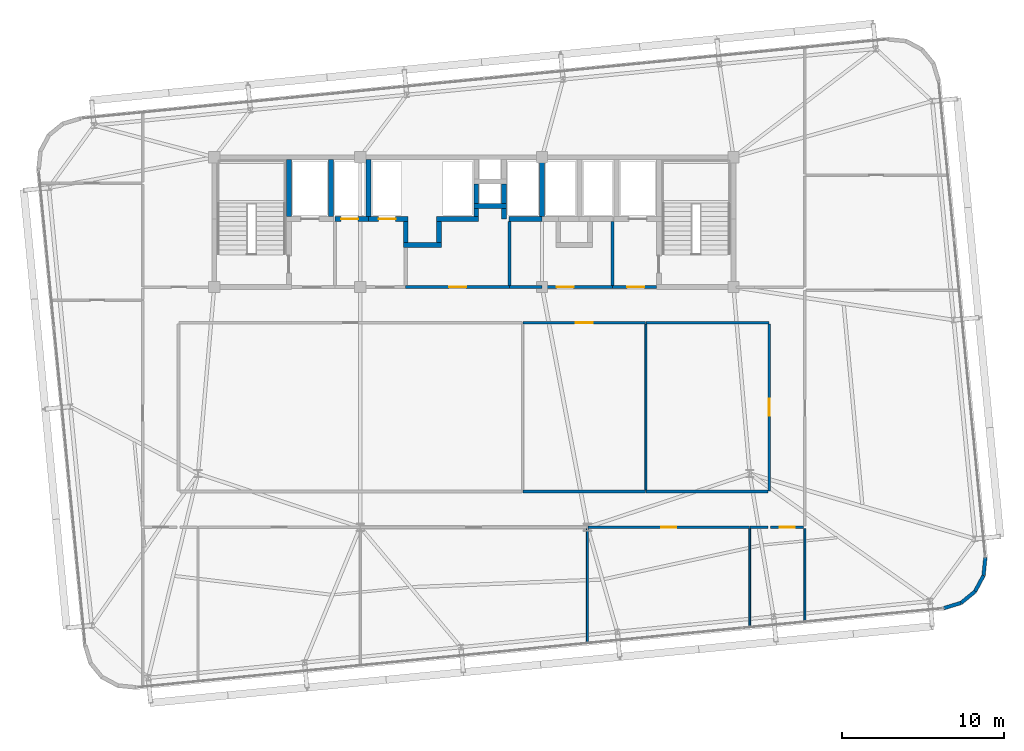
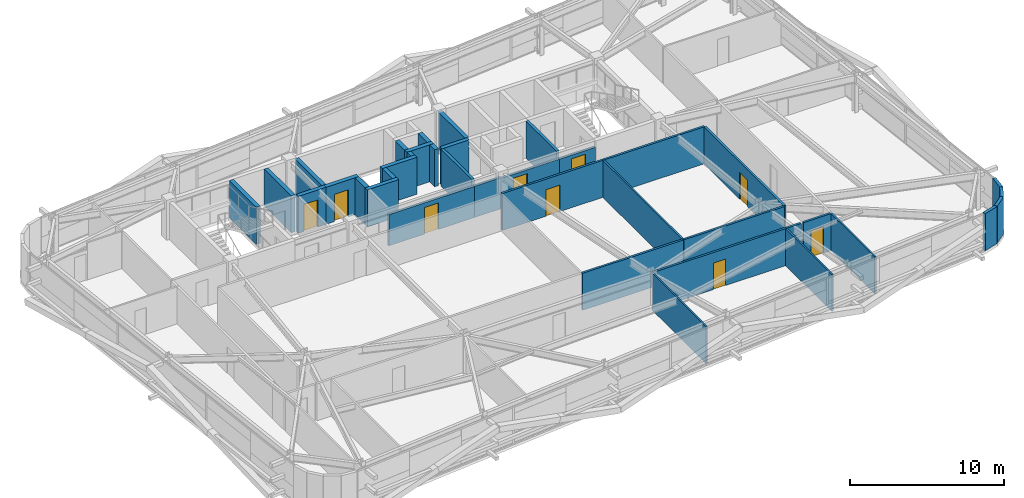
# One storey, part 42 of 47: 38 walls, 9 doors, 9 openings.
"""IFC4 building model written with IfcOpenShell, lengths in metres."""

from ifc_helpers import new_model, si_unit, direction, frame, frame_2d, origin, place, context, subcontext, project, spatial, rectangle, extrude, source, transform, mapped, material, layer, layer_set, type_object, element, fill, save


model = new_model("IFC4")

# Units and contexts
model_context = context("Model", 3, precision=1e-05, world=origin(), true_north=direction((0.0, 1.0)))
body_context = subcontext(model_context, "Body", "Model", "MODEL_VIEW")
ifc_project = project(units=[si_unit("LENGTHUNIT", "METRE"), si_unit("AREAUNIT", "SQUARE_METRE"), si_unit("VOLUMEUNIT", "CUBIC_METRE"), si_unit("PLANEANGLEUNIT", "RADIAN"), si_unit("MASSUNIT", "GRAM", prefix="KILO")], contexts=[model_context])

# Site, building, storey
site_placement = place(None, origin())
site = spatial("IfcSite", under=ifc_project, at=site_placement, CompositionType="ELEMENT")
building_placement = place(site_placement, origin())
building = spatial("IfcBuilding", under=site, at=building_placement, Name="Taldren Reach Tower", CompositionType="ELEMENT")
storey_placement = place(building_placement, frame((0.0, 0.0, 106.050048828125)))
storey = spatial("IfcBuildingStorey", under=building, at=storey_placement, Name="L32", CompositionType="ELEMENT", Elevation=106.050048828125)

# Walls
ifc_material_1 = material(Name="Pale Champagne Anodised Aluminium Cladding", Category="aluminium")
ifc_layer_1 = layer(ifc_material_1, 0.04, Name="Pale Champagne Anodised Aluminium Cladding", Category="aluminium")
ifc_material_2 = material(Name="Mineral Wool Acoustic Insulation", Category="insulation")
ifc_layer_2 = layer(ifc_material_2, 0.06, Name="Mineral Wool Acoustic Insulation", Category="insulation")
ifc_material_3 = material(Name="Steel Gr 350 (C350L0)", Category="steel")
ifc_layer_3 = layer(ifc_material_3, 0.12, Name="Steel Gr 350 (C350L0)", Category="steel")
ifc_layer_set_1 = layer_set([ifc_layer_1, ifc_layer_2, ifc_layer_3], Name="Pale Champagne Aluminium Cladding and Steel Gr 350 Stud Framing")
wall_type_1 = type_object("IfcWallType", Name="EW-CRN-220", PredefinedType="SOLIDWALL", material=ifc_layer_set_1)
shared_shape_1 = source(origin(), body_context, "Body", "SweptSolid", [
    extrude(rectangle(XDim=1.115966796875, YDim=0.219970703125, at=frame_2d((0.55810546875, 0.0))), origin(), (0.0, 0.0, 1.0), 2.929931640625),
])
for number, where, z_axis, x_axis, name in (
    (1, (65.01708984375, 4.537109375, 0.0), (0.0, 0.0, 1.0), (0.773342870285, 0.633988016432, 0.0), "Rounded-corner pale-metal facade wall L32-SE2"),
    (2, (66.406494140625, 6.228515625, 0.0), (0.0, 0.0, 1.0), (0.09844234778, 0.995142755671, 0.0), "Rounded-corner pale-metal facade wall L32-SE4"),
):
    element("IfcWall", number, at=place(storey_placement, frame(where, z_axis=z_axis, x_axis=x_axis)), inside=storey, type_object=wall_type_1, Name=name, PredefinedType="SOLIDWALL", context=body_context, shape_type="MappedRepresentation", body=[
        mapped(shared_shape_1, transform((0.0, 0.0, 0.0), scale=1.0)),
    ])
shared_shape_2 = source(origin(), body_context, "Body", "SweptSolid", [
    extrude(rectangle(XDim=1.11572265625, YDim=0.219970703125, at=frame_2d((0.557861328125, 0.0))), origin(), (0.0, 0.0, 1.0), 2.929931640625),
])
for number, where, z_axis, x_axis, name in (
    (3, (63.94921875, 4.213623046875, 0.0), (0.0, 0.0, 1.0), (0.957052003726, 0.289916301997, 0.0), "Rounded-corner pale-metal facade wall L32-SE1"),
    (4, (65.880126953125, 5.24462890625, 0.0), (0.0, 0.0, 1.0), (0.471723463201, 0.881746547635, 0.0), "Rounded-corner pale-metal facade wall L32-SE3"),
):
    element("IfcWall", number, at=place(storey_placement, frame(where, z_axis=z_axis, x_axis=x_axis)), inside=storey, type_object=wall_type_1, Name=name, PredefinedType="SOLIDWALL", context=body_context, shape_type="MappedRepresentation", body=[
        mapped(shared_shape_2, transform((0.0, 0.0, 0.0), scale=1.0)),
    ])

# Wall, opening, door
ifc_material_4 = material(Name="Concrete S50 (50 MPa)", Category="concrete")
ifc_layer_4 = layer(ifc_material_4, 0.199951171875)
ifc_layer_set_2 = layer_set([ifc_layer_4], Name="Concrete S50 (50 MPa)")
wall_type_2 = type_object("IfcWallType", Name="IW-CORE-200", PredefinedType="SOLIDWALL", material=ifc_layer_set_2)
shared_shape_3 = source(origin(), body_context, "Body", "SweptSolid", [
    extrude(rectangle(XDim=6.39990234375, YDim=0.199951171875, at=frame_2d((3.199951171875, 0.0))), origin(), (0.0, 0.0, 1.0), 2.469970703125),
])
wall_1_placement = place(storey_placement, frame((37.199951171875, 24.0, 0.0), z_axis=(0.0, 0.0, 1.0), x_axis=(-1.0, 0.0, 0.0)))
wall_1 = element("IfcWall", 5, at=wall_1_placement, inside=storey, type_object=wall_type_2, Name="Rear Core Shear Wall W-INT-L32-043", PredefinedType="SOLIDWALL", context=body_context, shape_type="MappedRepresentation", body=[
    mapped(shared_shape_3, transform((0.0, 0.0, 0.0), scale=1.0)),
])
shared_shape_4 = source(origin(), body_context, "Body", "SweptSolid", [
    extrude(rectangle(XDim=1.050048828125, YDim=2.10009765625, at=frame_2d((0.52490234375, 1.050048828125))), frame((0.0, 0.10986328125, 0.0), z_axis=(0.0, -1.0, 0.0), x_axis=(1.0, 0.0, 0.0)), (0.0, 0.0, 1.0), 0.219970703125),
])
opening_1_placement = place(wall_1_placement, frame((2.675048828125, 0.0, 0.0)))
opening_1 = element("IfcOpeningElement", 6, at=opening_1_placement, cuts=wall_1, Name="Opening DF-105", PredefinedType="OPENING", context=body_context, shape_type="MappedRepresentation", body=[
    mapped(shared_shape_4, transform((0.0, 0.0, 0.0), scale=1.0)),
])
ifc_material_5 = material(Name="Fire-Rated Care and Stair Exit Door")
door_type_1 = type_object("IfcDoorType", Name="ID-FIRE-105", OperationType="NOTDEFINED", PredefinedType="DOOR", material=ifc_material_5)
shared_shape_5 = source(origin(), body_context, "Body", "SweptSolid", [
    extrude(rectangle(XDim=1.050048828125, YDim=2.10009765625, at=frame_2d((0.52490234375, 1.050048828125))), frame((0.0, 0.02490234375, 0.0), z_axis=(0.0, -1.0, 0.0), x_axis=(1.0, 0.0, 0.0)), (0.0, 0.0, 1.0), 0.050048828125),
])
door_1_placement = place(opening_1_placement, frame((1.050048828125, 0.0, 0.0), z_axis=(0.0, 0.0, 1.0), x_axis=(-1.0, 0.0, 0.0)))
door_1 = element("IfcDoor", 7, at=door_1_placement, inside=storey, type_object=door_type_1, Name="Interior Door DR-L32-006", OperationType="SINGLE_SWING_RIGHT", OverallHeight=2.10009765625, OverallWidth=1.050048828125, PredefinedType="DOOR", context=body_context, shape_type="MappedRepresentation", body=[
    mapped(shared_shape_5, transform((0.0, 0.0, 0.0), scale=1.0)),
])
fill(opening_1, door_1)

shared_shape_6 = source(origin(), body_context, "Body", "SweptSolid", [
    extrude(rectangle(XDim=4.35009765625, YDim=0.199951171875, at=frame_2d((2.175048828125, 0.0))), origin(), (0.0, 0.0, 1.0), 2.39697265625),
])
wall_2_placement = place(storey_placement, frame((43.550048828125, 24.0, 0.0), z_axis=(0.0, 0.0, 1.0), x_axis=(-1.0, 0.0, 0.0)))
wall_2 = element("IfcWall", 8, at=wall_2_placement, inside=storey, type_object=wall_type_2, Name="Rear Core Shear Wall W-INT-L32-044", PredefinedType="SOLIDWALL", context=body_context, shape_type="MappedRepresentation", body=[
    mapped(shared_shape_6, transform((0.0, 0.0, 0.0), scale=1.0)),
])
opening_2_placement = place(wall_2_placement, frame((2.39990234375, 0.0, 0.0)))
opening_2 = element("IfcOpeningElement", 9, at=opening_2_placement, cuts=wall_2, Name="Opening DF-105", PredefinedType="OPENING", context=body_context, shape_type="MappedRepresentation", body=[
    mapped(shared_shape_4, transform((0.0, 0.0, 0.0), scale=1.0)),
])
door_2_placement = place(opening_2_placement, frame((1.050048828125, 0.0, 0.0), z_axis=(0.0, 0.0, 1.0), x_axis=(-1.0, 0.0, 0.0)))
door_2 = element("IfcDoor", 10, at=door_2_placement, inside=storey, type_object=door_type_1, Name="Interior Door DR-L32-007", OperationType="SINGLE_SWING_RIGHT", OverallHeight=2.10009765625, OverallWidth=1.050048828125, PredefinedType="DOOR", context=body_context, shape_type="MappedRepresentation", body=[
    mapped(shared_shape_5, transform((0.0, 0.0, 0.0), scale=1.0)),
])
fill(opening_2, door_2)

# Wall
shared_shape_7 = source(origin(), body_context, "Body", "SweptSolid", [
    extrude(rectangle(XDim=2.0, YDim=0.199951171875, at=frame_2d((1.0, 0.0))), origin(), (0.0, 0.0, 1.0), 2.469970703125),
])
wall_3_placement = place(storey_placement, frame((39.199951171875, 24.0, 0.0), z_axis=(0.0, 0.0, 1.0), x_axis=(-1.0, 0.0, 0.0)))
element("IfcWall", 11, at=wall_3_placement, inside=storey, type_object=wall_type_2, Name="Rear Core Shear Wall W-INT-L32-044 part 2", PredefinedType="SOLIDWALL", context=body_context, shape_type="MappedRepresentation", body=[
    mapped(shared_shape_7, transform((0.0, 0.0, 0.0), scale=1.0)),
])

# Wall, opening, door
ifc_material_6 = material(Name="Fire-Rated Acoustic Plasterboard Stud Wall", Category="gypsum")
ifc_layer_5 = layer(ifc_material_6, 0.159912109375)
ifc_layer_set_3 = layer_set([ifc_layer_5], Name="Fire-Rated Acoustic Plasterboard Stud Wall")
wall_type_3 = type_object("IfcWallType", Name="IW-FIRE-160", PredefinedType="PARTITIONING", material=ifc_layer_set_3)
shared_shape_8 = source(origin(), body_context, "Body", "SweptSolid", [
    extrude(rectangle(XDim=10.2998046875, YDim=0.159912109375, at=frame_2d((5.14990234375, 0.0))), origin(), (0.0, 0.0, 1.0), 2.929931640625),
])
wall_4_placement = place(storey_placement, frame((53.199951171875, 11.420166015625, 0.0), z_axis=(0.0, 0.0, 1.0), x_axis=(0.0, 1.0, 0.0)))
wall_4 = element("IfcWall", 12, at=wall_4_placement, inside=storey, type_object=wall_type_3, Name="Interior Partition Wall W-INT-L32-048", PredefinedType="PARTITIONING", context=body_context, shape_type="MappedRepresentation", body=[
    mapped(shared_shape_8, transform((0.0, 0.0, 0.0), scale=1.0)),
])
shared_shape_9 = source(origin(), body_context, "Body", "SweptSolid", [
    extrude(rectangle(XDim=1.050048828125, YDim=2.10009765625, at=frame_2d((0.52490234375, 1.050048828125))), frame((0.0, 0.08984375, 0.0), z_axis=(0.0, -1.0, 0.0), x_axis=(1.0, 0.0, 0.0)), (0.0, 0.0, 1.0), 0.179931640625),
])
opening_3_placement = place(wall_4_placement, frame((4.65478515625, 0.0, 0.0)))
opening_3 = element("IfcOpeningElement", 13, at=opening_3_placement, cuts=wall_4, Name="Opening DF-105", PredefinedType="OPENING", context=body_context, shape_type="MappedRepresentation", body=[
    mapped(shared_shape_9, transform((0.0, 0.0, 0.0), scale=1.0)),
])
door_3_placement = place(opening_3_placement, origin())
door_3 = element("IfcDoor", 14, at=door_3_placement, inside=storey, type_object=door_type_1, Name="Interior Door DR-L32-010", OperationType="SINGLE_SWING_LEFT", OverallHeight=2.10009765625, OverallWidth=1.050048828125, PredefinedType="DOOR", context=body_context, shape_type="MappedRepresentation", body=[
    mapped(shared_shape_5, transform((0.0, 0.0, 0.0), scale=1.0)),
])
fill(opening_3, door_3)

shared_shape_10 = source(origin(), body_context, "Body", "SweptSolid", [
    extrude(rectangle(XDim=2.0400390625, YDim=0.159912109375, at=frame_2d((1.02001953125, 0.0))), origin(), (0.0, 0.0, 1.0), 2.929931640625),
])
wall_5_placement = place(storey_placement, frame((55.320068359375, 9.199951171875, 0.0), z_axis=(0.0, 0.0, 1.0), x_axis=(-1.0, 0.0, 0.0)))
wall_5 = element("IfcWall", 15, at=wall_5_placement, inside=storey, type_object=wall_type_3, Name="Interior Partition Wall W-INT-L32-051", PredefinedType="PARTITIONING", context=body_context, shape_type="MappedRepresentation", body=[
    mapped(shared_shape_10, transform((0.0, 0.0, 0.0), scale=1.0)),
])
shared_shape_11 = source(origin(), body_context, "Body", "SweptSolid", [
    extrude(rectangle(XDim=0.919921875, YDim=2.10009765625, at=frame_2d((0.4599609375, 1.050048828125))), frame((0.0, 0.08984375, 0.0), z_axis=(0.0, -1.0, 0.0), x_axis=(1.0, 0.0, 0.0)), (0.0, 0.0, 1.0), 0.179931640625),
])
opening_4_placement = place(wall_5_placement, frame((0.56005859375, 0.0, 0.0)))
opening_4 = element("IfcOpeningElement", 16, at=opening_4_placement, cuts=wall_5, Name="Opening DI-092", PredefinedType="OPENING", context=body_context, shape_type="MappedRepresentation", body=[
    mapped(shared_shape_11, transform((0.0, 0.0, 0.0), scale=1.0)),
])
ifc_material_7 = material(Name="Solid-Core Timber Suite Door", Category="wood")
door_type_2 = type_object("IfcDoorType", Name="ID-INT-092", OperationType="NOTDEFINED", PredefinedType="DOOR", material=ifc_material_7)
shared_shape_12 = source(origin(), body_context, "Body", "SweptSolid", [
    extrude(rectangle(XDim=0.919921875, YDim=2.10009765625, at=frame_2d((0.4599609375, 1.050048828125))), frame((0.0, 0.02490234375, 0.0), z_axis=(0.0, -1.0, 0.0), x_axis=(1.0, 0.0, 0.0)), (0.0, 0.0, 1.0), 0.050048828125),
])
door_4_placement = place(opening_4_placement, origin())
door_4 = element("IfcDoor", 17, at=door_4_placement, inside=storey, type_object=door_type_2, Name="Interior Door DR-L32-012", OperationType="SINGLE_SWING_LEFT", OverallHeight=2.10009765625, OverallWidth=0.919921875, PredefinedType="DOOR", context=body_context, shape_type="MappedRepresentation", body=[
    mapped(shared_shape_12, transform((0.0, 0.0, 0.0), scale=1.0)),
])
fill(opening_4, door_4)

# Wall
shared_shape_13 = source(origin(), body_context, "Body", "SweptSolid", [
    extrude(rectangle(XDim=1.099853515625, YDim=0.159912109375, at=frame_2d((0.5498046875, 0.0))), origin(), (0.0, 0.0, 1.0), 2.929931640625),
])
wall_6_placement = place(storey_placement, frame((53.1201171875, 9.199951171875, 0.0), z_axis=(0.0, 0.0, 1.0), x_axis=(-1.0, 0.0, 0.0)))
element("IfcWall", 18, at=wall_6_placement, inside=storey, type_object=wall_type_3, Name="Interior Partition Wall W-INT-L32-064", PredefinedType="PARTITIONING", context=body_context, shape_type="MappedRepresentation", body=[
    mapped(shared_shape_13, transform((0.0, 0.0, 0.0), scale=1.0)),
])

# Wall, opening, door
shared_shape_14 = source(origin(), body_context, "Body", "SweptSolid", [
    extrude(rectangle(XDim=9.95947265625, YDim=0.159912109375, at=frame_2d((4.979736328125, 0.0))), origin(), (0.0, 0.0, 1.0), 2.929931640625),
])
wall_7_placement = place(storey_placement, frame((51.979736328125, 9.199951171875, 0.0), z_axis=(0.0, 0.0, 1.0), x_axis=(-1.0, 0.0, 0.0)))
wall_7 = element("IfcWall", 19, at=wall_7_placement, inside=storey, type_object=wall_type_3, Name="Interior Partition Wall W-INT-L32-063", PredefinedType="PARTITIONING", context=body_context, shape_type="MappedRepresentation", body=[
    mapped(shared_shape_14, transform((0.0, 0.0, 0.0), scale=1.0)),
])
opening_5_placement = place(wall_7_placement, frame((4.519775390625, 0.0, 0.0)))
opening_5 = element("IfcOpeningElement", 20, at=opening_5_placement, cuts=wall_7, Name="Opening DI-092", PredefinedType="OPENING", context=body_context, shape_type="MappedRepresentation", body=[
    mapped(shared_shape_11, transform((0.0, 0.0, 0.0), scale=1.0)),
])
door_5_placement = place(opening_5_placement, origin())
door_5 = element("IfcDoor", 21, at=door_5_placement, inside=storey, type_object=door_type_2, Name="Interior Door DR-L32-018", OperationType="SINGLE_SWING_LEFT", OverallHeight=2.10009765625, OverallWidth=0.919921875, PredefinedType="DOOR", context=body_context, shape_type="MappedRepresentation", body=[
    mapped(shared_shape_12, transform((0.0, 0.0, 0.0), scale=1.0)),
])
fill(opening_5, door_5)

# Wall
ifc_material_8 = material(Name="Insulated Residential Stud Partition", Category="gypsum")
ifc_layer_6 = layer(ifc_material_8, 0.1201171875)
ifc_layer_set_4 = layer_set([ifc_layer_6], Name="Insulated Residential Stud Partition")
wall_type_4 = type_object("IfcWallType", Name="IW-PART-120", PredefinedType="PARTITIONING", material=ifc_layer_set_4)
shared_shape_15 = source(origin(), body_context, "Body", "SweptSolid", [
    extrude(rectangle(XDim=10.239990234375, YDim=0.1201171875, at=frame_2d((5.1201171875, 0.0))), origin(), (0.0, 0.0, 1.0), 2.929931640625),
])
wall_8_placement = place(storey_placement, frame((45.60009765625, 21.719970703125, 0.0), z_axis=(0.0, 0.0, 1.0), x_axis=(0.0, -1.0, 0.0)))
element("IfcWall", 22, at=wall_8_placement, inside=storey, type_object=wall_type_4, Name="Interior Partition Wall W-INT-L32-066", PredefinedType="PARTITIONING", context=body_context, shape_type="MappedRepresentation", body=[
    mapped(shared_shape_15, transform((0.0, 0.0, 0.0), scale=1.0)),
])

# Wall, opening, door
shared_shape_16 = source(origin(), body_context, "Body", "SweptSolid", [
    extrude(rectangle(XDim=7.5595703125, YDim=0.159912109375, at=frame_2d((3.77978515625, 0.0))), origin(), (0.0, 0.0, 1.0), 2.929931640625),
])
wall_9_placement = place(storey_placement, frame((45.579833984375, 21.800048828125, 0.0), z_axis=(0.0, 0.0, 1.0), x_axis=(-1.0, 0.0, 0.0)))
wall_9 = element("IfcWall", 23, at=wall_9_placement, inside=storey, type_object=wall_type_3, Name="Interior Partition Wall W-INT-L32-047", PredefinedType="PARTITIONING", context=body_context, shape_type="MappedRepresentation", body=[
    mapped(shared_shape_16, transform((0.0, 0.0, 0.0), scale=1.0)),
])
opening_6_placement = place(wall_9_placement, frame((3.2548828125, 0.0, 0.0)))
opening_6 = element("IfcOpeningElement", 24, at=opening_6_placement, cuts=wall_9, Name="Opening DF-105", PredefinedType="OPENING", context=body_context, shape_type="MappedRepresentation", body=[
    mapped(shared_shape_9, transform((0.0, 0.0, 0.0), scale=1.0)),
])
door_6_placement = place(opening_6_placement, origin())
door_6 = element("IfcDoor", 25, at=door_6_placement, inside=storey, type_object=door_type_1, Name="Interior Door DR-L32-009", OperationType="SINGLE_SWING_RIGHT", OverallHeight=2.10009765625, OverallWidth=1.050048828125, PredefinedType="DOOR", context=body_context, shape_type="MappedRepresentation", body=[
    mapped(shared_shape_5, transform((0.0, 0.0, 0.0), scale=1.0)),
])
fill(opening_6, door_6)

# Walls
for number, where, z_axis, x_axis, name in (
    (26, (53.1796875, 21.800048828125, 0.0), (0.0, 0.0, 1.0), (-1.0, 0.0, 0.0), "Interior Partition Wall W-INT-L32-049"),
    (27, (38.020263671875, 11.39990234375, 0.0), (0.0, 0.0, 1.0), (1.0, 0.0, 0.0), "Interior Partition Wall W-INT-L32-058"),
):
    element("IfcWall", number, at=place(storey_placement, frame(where, z_axis=z_axis, x_axis=x_axis)), inside=storey, type_object=wall_type_3, Name=name, PredefinedType="PARTITIONING", context=body_context, shape_type="MappedRepresentation", body=[
        mapped(shared_shape_16, transform((0.0, 0.0, 0.0), scale=1.0)),
    ])
shared_shape_17 = source(origin(), body_context, "Body", "SweptSolid", [
    extrude(rectangle(XDim=7.5, YDim=0.159912109375, at=frame_2d((3.75, 0.0))), origin(), (0.0, 0.0, 1.0), 2.929931640625),
])
wall_10_placement = place(storey_placement, frame((45.6201171875, 11.39990234375, 0.0), z_axis=(0.0, 0.0, 1.0), x_axis=(1.0, 0.0, 0.0)))
element("IfcWall", 28, at=wall_10_placement, inside=storey, type_object=wall_type_3, Name="Interior Partition Wall W-INT-L32-059", PredefinedType="PARTITIONING", context=body_context, shape_type="MappedRepresentation", body=[
    mapped(shared_shape_17, transform((0.0, 0.0, 0.0), scale=1.0)),
])
ifc_material_9 = material(Name="Concrete S65 (65 MPa)", Category="concrete")
ifc_layer_7 = layer(ifc_material_9, 0.300048828125)
ifc_layer_set_5 = layer_set([ifc_layer_7], Name="Concrete S65 (65 MPa)")
wall_type_5 = type_object("IfcWallType", Name="IW-CORE-300", PredefinedType="SHEAR", material=ifc_layer_set_5)
shared_shape_18 = source(origin(), body_context, "Body", "SweptSolid", [
    extrude(rectangle(XDim=3.5, YDim=0.300048828125, at=frame_2d((1.75, 0.0))), origin(), (0.0, 0.0, 1.0), 2.929931640625),
])
for number, where, z_axis, x_axis, name in (
    (29, (23.60009765625, 28.35009765625, 0.0), (0.0, 0.0, 1.0), (0.0, 1.0, 0.0), "Rear Core Shear Wall W-INT-L32-001"),
    (30, (26.199951171875, 28.35009765625, 0.0), (0.0, 0.0, 1.0), (0.0, 1.0, 0.0), "Rear Core Shear Wall W-INT-L32-005"),
    (31, (28.5, 28.35009765625, 0.0), (0.0, 0.0, 1.0), (0.0, 1.0, 0.0), "Rear Core Shear Wall W-INT-L32-029"),
    (32, (39.199951171875, 28.35009765625, 0.0), (0.0, 0.0, 1.0), (0.0, 1.0, 0.0), "Rear Core Shear Wall W-INT-L32-036"),
):
    element("IfcWall", number, at=place(storey_placement, frame(where, z_axis=z_axis, x_axis=x_axis)), inside=storey, type_object=wall_type_5, Name=name, PredefinedType="SHEAR", context=body_context, shape_type="MappedRepresentation", body=[
        mapped(shared_shape_18, transform((0.0, 0.0, 0.0), scale=1.0)),
    ])
shared_shape_19 = source(origin(), body_context, "Body", "SweptSolid", [
    extrude(rectangle(XDim=3.949951171875, YDim=0.199951171875, at=frame_2d((1.97509765625, 0.0))), origin(), (0.0, 0.0, 1.0), 2.929931640625),
])
for number, where, z_axis, x_axis, name in (
    (33, (43.550048828125, 28.050048828125, 0.0), (0.0, 0.0, 1.0), (0.0, -1.0, 0.0), "Rear Core Shear Wall W-INT-L32-013"),
    (34, (37.199951171875, 28.050048828125, 0.0), (0.0, 0.0, 1.0), (0.0, -1.0, 0.0), "Rear Core Shear Wall W-INT-L32-042"),
):
    element("IfcWall", number, at=place(storey_placement, frame(where, z_axis=z_axis, x_axis=x_axis)), inside=storey, type_object=wall_type_2, Name=name, PredefinedType="SOLIDWALL", context=body_context, shape_type="MappedRepresentation", body=[
        mapped(shared_shape_19, transform((0.0, 0.0, 0.0), scale=1.0)),
    ])

# Wall, opening, door
shared_shape_20 = source(origin(), body_context, "Body", "SweptSolid", [
    extrude(rectangle(XDim=2.699951171875, YDim=0.199951171875, at=frame_2d((1.35009765625, 0.0))), origin(), (0.0, 0.0, 1.0), 2.39697265625),
])
wall_11_placement = place(storey_placement, frame((43.550048828125, 24.0, 0.0), z_axis=(0.0, 0.0, 1.0), x_axis=(1.0, 0.0, 0.0)))
wall_11 = element("IfcWall", 35, at=wall_11_placement, inside=storey, type_object=wall_type_2, Name="Rear Core Shear Wall W-INT-L32-014", PredefinedType="SOLIDWALL", context=body_context, shape_type="MappedRepresentation", body=[
    mapped(shared_shape_20, transform((0.0, 0.0, 0.0), scale=1.0)),
])
opening_7_placement = place(wall_11_placement, frame((0.89990234375, 0.0, 0.0)))
opening_7 = element("IfcOpeningElement", 36, at=opening_7_placement, cuts=wall_11, Name="Opening DF-105", PredefinedType="OPENING", context=body_context, shape_type="MappedRepresentation", body=[
    mapped(shared_shape_4, transform((0.0, 0.0, 0.0), scale=1.0)),
])
door_7_placement = place(opening_7_placement, origin())
door_7 = element("IfcDoor", 37, at=door_7_placement, inside=storey, type_object=door_type_1, Name="Interior Door DR-L32-004", OperationType="SINGLE_SWING_LEFT", OverallHeight=2.10009765625, OverallWidth=1.050048828125, PredefinedType="DOOR", context=body_context, shape_type="MappedRepresentation", body=[
    mapped(shared_shape_5, transform((0.0, 0.0, 0.0), scale=1.0)),
])
fill(opening_7, door_7)

# Walls
shared_shape_21 = source(origin(), body_context, "Body", "SweptSolid", [
    extrude(rectangle(XDim=2.0, YDim=0.300048828125, at=frame_2d((1.0, 0.0))), origin(), (0.0, 0.0, 1.0), 2.929931640625),
])
wall_12_placement = place(storey_placement, frame((35.0, 29.0, 0.0), z_axis=(0.0, 0.0, 1.0), x_axis=(1.0, 0.0, 0.0)))
element("IfcWall", 38, at=wall_12_placement, inside=storey, type_object=wall_type_5, Name="Rear Core Shear Wall W-INT-L32-020", PredefinedType="SHEAR", context=body_context, shape_type="MappedRepresentation", body=[
    mapped(shared_shape_21, transform((0.0, 0.0, 0.0), scale=1.0)),
])
shared_shape_22 = source(origin(), body_context, "Body", "SweptSolid", [
    extrude(rectangle(XDim=1.2001953125, YDim=0.300048828125, at=frame_2d((0.60009765625, 0.0))), origin(), (0.0, 0.0, 1.0), 2.929931640625),
])
for number, where, z_axis, x_axis, name in (
    (39, (35.14990234375, 30.35009765625, 0.0), (0.0, 0.0, 1.0), (0.0, -1.0, 0.0), "Rear Core Shear Wall W-INT-L32-018"),
    (40, (36.85009765625, 29.14990234375, 0.0), (0.0, 0.0, 1.0), (0.0, 1.0, 0.0), "Rear Core Shear Wall W-INT-L32-019"),
):
    element("IfcWall", number, at=place(storey_placement, frame(where, z_axis=z_axis, x_axis=x_axis)), inside=storey, type_object=wall_type_5, Name=name, PredefinedType="SHEAR", context=body_context, shape_type="MappedRepresentation", body=[
        mapped(shared_shape_22, transform((0.0, 0.0, 0.0), scale=1.0)),
    ])
shared_shape_23 = source(origin(), body_context, "Body", "SweptSolid", [
    extrude(rectangle(XDim=1.300048828125, YDim=0.300048828125, at=frame_2d((0.64990234375, 0.0))), origin(), (0.0, 0.0, 1.0), 2.929931640625),
])
for number, where, z_axis, x_axis, name in (
    (41, (30.800048828125, 28.050048828125, 0.0), (0.0, 0.0, 1.0), (0.0, -1.0, 0.0), "Rear Core Shear Wall W-INT-L32-021"),
    (42, (32.85009765625, 26.75, 0.0), (0.0, 0.0, 1.0), (0.0, 1.0, 0.0), "Rear Core Shear Wall W-INT-L32-023"),
):
    element("IfcWall", number, at=place(storey_placement, frame(where, z_axis=z_axis, x_axis=x_axis)), inside=storey, type_object=wall_type_5, Name=name, PredefinedType="SHEAR", context=body_context, shape_type="MappedRepresentation", body=[
        mapped(shared_shape_23, transform((0.0, 0.0, 0.0), scale=1.0)),
    ])

# Wall, opening, door
shared_shape_24 = source(origin(), body_context, "Body", "SweptSolid", [
    extrude(rectangle(XDim=2.070068359375, YDim=0.300048828125, at=frame_2d((1.03515625, 0.0))), origin(), (0.0, 0.0, 1.0), 2.929931640625),
])
wall_13_placement = place(storey_placement, frame((26.429931640625, 28.199951171875, 0.0), z_axis=(0.0, 0.0, 1.0), x_axis=(1.0, 0.0, 0.0)))
wall_13 = element("IfcWall", 43, at=wall_13_placement, inside=storey, type_object=wall_type_5, Name="Rear Core Shear Wall W-INT-L32-030", PredefinedType="SHEAR", context=body_context, shape_type="MappedRepresentation", body=[
    mapped(shared_shape_24, transform((0.0, 0.0, 0.0), scale=1.0)),
])
shared_shape_25 = source(origin(), body_context, "Body", "SweptSolid", [
    extrude(rectangle(XDim=1.050048828125, YDim=2.14990234375, at=frame_2d((0.52490234375, 1.074951171875))), frame((0.0, 0.16015625, 0.0), z_axis=(0.0, -1.0, 0.0), x_axis=(1.0, 0.0, 0.0)), (0.0, 0.0, 1.0), 0.320068359375),
])
opening_8_placement = place(wall_13_placement, frame((0.39501953125, 0.0, 0.0)))
opening_8 = element("IfcOpeningElement", 44, at=opening_8_placement, cuts=wall_13, Name="Opening LD-PL1", PredefinedType="OPENING", context=body_context, shape_type="MappedRepresentation", body=[
    mapped(shared_shape_25, transform((0.0, 0.0, 0.0), scale=1.0)),
])
ifc_material_10 = material(Name="Stainless Steel Gr 316 Passenger Lift Landing Door", Category="steel")
door_type_3 = type_object("IfcDoorType", Name="LD-PAS-105", OperationType="SLIDING_TO_LEFT", PredefinedType="DOOR", material=ifc_material_10)
shared_shape_26 = source(origin(), body_context, "Body", "SweptSolid", [
    extrude(rectangle(XDim=1.050048828125, YDim=2.14990234375, at=frame_2d((0.52490234375, 1.074951171875))), frame((0.0, 0.02490234375, 0.0), z_axis=(0.0, -1.0, 0.0), x_axis=(1.0, 0.0, 0.0)), (0.0, 0.0, 1.0), 0.050048828125),
])
door_8_placement = place(opening_8_placement, origin())
door_8 = element("IfcDoor", 45, at=door_8_placement, inside=storey, type_object=door_type_3, Name="Lift Landing Door LD-PL1-L32", OperationType="SLIDING_TO_LEFT", OverallHeight=2.14990234375, OverallWidth=1.050048828125, PredefinedType="DOOR", context=body_context, shape_type="MappedRepresentation", body=[
    mapped(shared_shape_26, transform((0.0, 0.0, 0.0), scale=1.0)),
])
fill(opening_8, door_8)

shared_shape_27 = source(origin(), body_context, "Body", "SweptSolid", [
    extrude(rectangle(XDim=2.449951171875, YDim=0.300048828125, at=frame_2d((1.22509765625, 0.0))), origin(), (0.0, 0.0, 1.0), 2.929931640625),
])
wall_14_placement = place(storey_placement, frame((28.5, 28.199951171875, 0.0), z_axis=(0.0, 0.0, 1.0), x_axis=(1.0, 0.0, 0.0)))
wall_14 = element("IfcWall", 46, at=wall_14_placement, inside=storey, type_object=wall_type_5, Name="Rear Core Shear Wall W-INT-L32-031", PredefinedType="SHEAR", context=body_context, shape_type="MappedRepresentation", body=[
    mapped(shared_shape_27, transform((0.0, 0.0, 0.0), scale=1.0)),
])
opening_9_placement = place(wall_14_placement, frame((0.625, 0.0, 0.0)))
opening_9 = element("IfcOpeningElement", 47, at=opening_9_placement, cuts=wall_14, Name="Opening LD-PL2", PredefinedType="OPENING", context=body_context, shape_type="MappedRepresentation", body=[
    mapped(shared_shape_25, transform((0.0, 0.0, 0.0), scale=1.0)),
])
door_9_placement = place(opening_9_placement, origin())
door_9 = element("IfcDoor", 48, at=door_9_placement, inside=storey, type_object=door_type_3, Name="Lift Landing Door LD-PL2-L32", OperationType="SLIDING_TO_LEFT", OverallHeight=2.14990234375, OverallWidth=1.050048828125, PredefinedType="DOOR", context=body_context, shape_type="MappedRepresentation", body=[
    mapped(shared_shape_26, transform((0.0, 0.0, 0.0), scale=1.0)),
])
fill(opening_9, door_9)

# Walls
shared_shape_28 = source(origin(), body_context, "Body", "SweptSolid", [
    extrude(rectangle(XDim=0.5, YDim=0.300048828125, at=frame_2d((0.25, 0.0))), origin(), (0.0, 0.0, 1.0), 2.929931640625),
])
wall_15_placement = place(storey_placement, frame((35.14990234375, 28.35009765625, 0.0), z_axis=(0.0, 0.0, 1.0), x_axis=(0.0, 1.0, 0.0)))
element("IfcWall", 49, at=wall_15_placement, inside=storey, type_object=wall_type_5, Name="Rear Core Shear Wall W-INT-L32-035", PredefinedType="SHEAR", context=body_context, shape_type="MappedRepresentation", body=[
    mapped(shared_shape_28, transform((0.0, 0.0, 0.0), scale=1.0)),
])
shared_shape_29 = source(origin(), body_context, "Body", "SweptSolid", [
    extrude(rectangle(XDim=6.97607421875, YDim=0.1201171875, at=frame_2d((3.488037109375, 0.0))), origin(), (0.0, 0.0, 1.0), 2.929931640625),
])
wall_16_placement = place(storey_placement, frame((42.0, 9.1201171875, 0.0), z_axis=(0.0, 0.0, 1.0), x_axis=(0.0, -1.0, 0.0)))
element("IfcWall", 50, at=wall_16_placement, inside=storey, type_object=wall_type_4, Name="Interior Partition Wall W-INT-L32-070", PredefinedType="PARTITIONING", context=body_context, shape_type="MappedRepresentation", body=[
    mapped(shared_shape_29, transform((0.0, 0.0, 0.0), scale=1.0)),
])
shared_shape_30 = source(origin(), body_context, "Body", "SweptSolid", [
    extrude(rectangle(XDim=2.35009765625, YDim=0.300048828125, at=frame_2d((1.175048828125, 0.0))), origin(), (0.0, 0.0, 1.0), 2.929931640625),
])
wall_17_placement = place(storey_placement, frame((30.64990234375, 26.60009765625, 0.0), z_axis=(0.0, 0.0, 1.0), x_axis=(1.0, 0.0, 0.0)))
element("IfcWall", 51, at=wall_17_placement, inside=storey, type_object=wall_type_5, Name="Rear Core Shear Wall W-INT-L32-022", PredefinedType="SHEAR", context=body_context, shape_type="MappedRepresentation", body=[
    mapped(shared_shape_30, transform((0.0, 0.0, 0.0), scale=1.0)),
])
shared_shape_31 = source(origin(), body_context, "Body", "SweptSolid", [
    extrude(rectangle(XDim=2.60009765625, YDim=0.300048828125, at=frame_2d((1.300048828125, 0.0))), origin(), (0.0, 0.0, 1.0), 2.929931640625),
])
wall_18_placement = place(storey_placement, frame((32.699951171875, 28.199951171875, 0.0), z_axis=(0.0, 0.0, 1.0), x_axis=(1.0, 0.0, 0.0)))
element("IfcWall", 52, at=wall_18_placement, inside=storey, type_object=wall_type_5, Name="Rear Core Shear Wall W-INT-L32-034", PredefinedType="SHEAR", context=body_context, shape_type="MappedRepresentation", body=[
    mapped(shared_shape_31, transform((0.0, 0.0, 0.0), scale=1.0)),
])
shared_shape_32 = source(origin(), body_context, "Body", "SweptSolid", [
    extrude(rectangle(XDim=0.650146484375, YDim=0.300048828125, at=frame_2d((0.3251953125, 0.0))), origin(), (0.0, 0.0, 1.0), 2.929931640625),
])
wall_19_placement = place(storey_placement, frame((36.85009765625, 28.85009765625, 0.0), z_axis=(0.0, 0.0, 1.0), x_axis=(0.0, -1.0, 0.0)))
element("IfcWall", 53, at=wall_19_placement, inside=storey, type_object=wall_type_5, Name="Rear Core Shear Wall W-INT-L32-037", PredefinedType="SHEAR", context=body_context, shape_type="MappedRepresentation", body=[
    mapped(shared_shape_32, transform((0.0, 0.0, 0.0), scale=1.0)),
])
shared_shape_33 = source(origin(), body_context, "Body", "SweptSolid", [
    extrude(rectangle(XDim=2.02001953125, YDim=0.300048828125, at=frame_2d((1.010009765625, 0.0))), origin(), (0.0, 0.0, 1.0), 2.929931640625),
])
wall_20_placement = place(storey_placement, frame((37.179931640625, 28.199951171875, 0.0), z_axis=(0.0, 0.0, 1.0), x_axis=(1.0, 0.0, 0.0)))
element("IfcWall", 54, at=wall_20_placement, inside=storey, type_object=wall_type_5, Name="Rear Core Shear Wall W-INT-L32-038", PredefinedType="SHEAR", context=body_context, shape_type="MappedRepresentation", body=[
    mapped(shared_shape_33, transform((0.0, 0.0, 0.0), scale=1.0)),
])
shared_shape_34 = source(origin(), body_context, "Body", "SweptSolid", [
    extrude(rectangle(XDim=5.657958984375, YDim=0.1201171875, at=frame_2d((2.8291015625, 0.0))), origin(), (0.0, 0.0, 1.0), 2.929931640625),
])
wall_21_placement = place(storey_placement, frame((55.39990234375, 9.117919921875, 0.0), z_axis=(0.0, 0.0, 1.0), x_axis=(0.0, -1.0, 0.0)))
element("IfcWall", 55, at=wall_21_placement, inside=storey, type_object=wall_type_4, Name="Interior Partition Wall W-INT-L32-072", PredefinedType="PARTITIONING", context=body_context, shape_type="MappedRepresentation", body=[
    mapped(shared_shape_34, transform((0.0, 0.0, 0.0), scale=1.0)),
])
shared_shape_35 = source(origin(), body_context, "Body", "SweptSolid", [
    extrude(rectangle(XDim=5.99560546875, YDim=0.1201171875, at=frame_2d((2.997802734375, 0.0))), origin(), (0.0, 0.0, 1.0), 2.929931640625),
])
wall_22_placement = place(storey_placement, frame((52.0, 9.1201171875, 0.0), z_axis=(0.0, 0.0, 1.0), x_axis=(0.0, -1.0, 0.0)))
element("IfcWall", 56, at=wall_22_placement, inside=storey, type_object=wall_type_4, Name="Interior Partition Wall W-INT-L32-071", PredefinedType="PARTITIONING", context=body_context, shape_type="MappedRepresentation", body=[
    mapped(shared_shape_35, transform((0.0, 0.0, 0.0), scale=1.0)),
])

save(model, "model.ifc")
